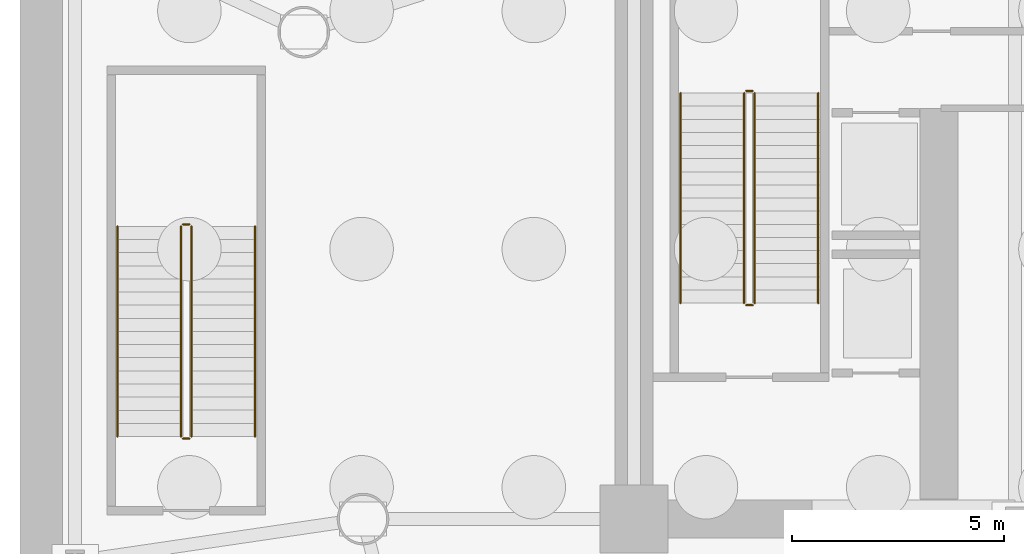
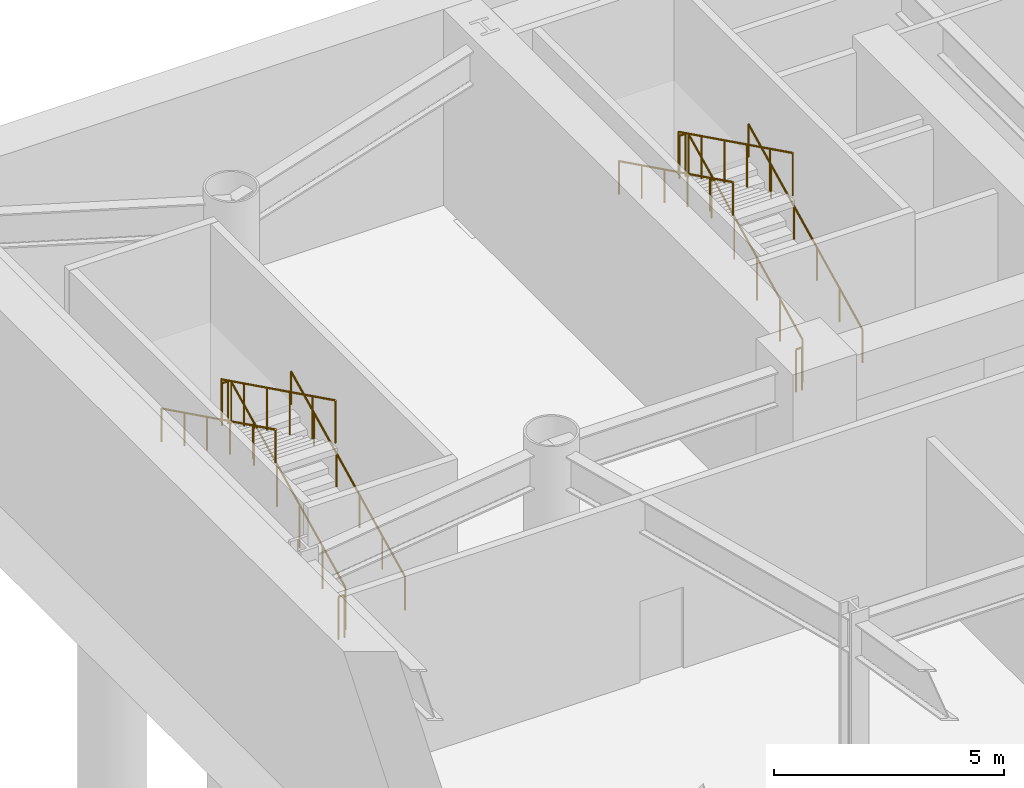
# One storey, part 7 of 11: 12 railings.
"""IFC4 building model written with IfcOpenShell, lengths in metres."""

from ifc_helpers import new_model, si_unit, direction, frame, origin, origin_2d, place, context, subcontext, project, spatial, circle, extrude, material, type_object, element, save


model = new_model("IFC4")

# Units and contexts
model_context = context("Model", 3, precision=1e-05, world=origin(), true_north=direction((0.0, 1.0)))
body_context = subcontext(model_context, "Body", "Model", "MODEL_VIEW")
ifc_project = project(units=[si_unit("LENGTHUNIT", "METRE"), si_unit("AREAUNIT", "SQUARE_METRE"), si_unit("VOLUMEUNIT", "CUBIC_METRE"), si_unit("PLANEANGLEUNIT", "RADIAN"), si_unit("MASSUNIT", "GRAM", prefix="KILO")], contexts=[model_context])

# Site, building, storey
site_placement = place(None, origin())
site = spatial("IfcSite", under=ifc_project, at=site_placement, CompositionType="ELEMENT")
building_placement = place(site_placement, origin())
building = spatial("IfcBuilding", under=site, at=building_placement, Name="Vaeldorn Concourse Tower", CompositionType="ELEMENT")
storey_placement = place(building_placement, frame((0.0, 0.0, -15.60009765625)))
storey = spatial("IfcBuildingStorey", under=building, at=storey_placement, Name="B03", CompositionType="ELEMENT", Elevation=-15.60009765625)

# Railings
ifc_material = material(Name="Anodised Bronze Aluminium", Category="aluminium")
railing_type_1 = type_object("IfcRailingType", Name="RL-STAIR-GUARD", PredefinedType="GUARDRAIL", material=ifc_material)
railing_1_placement = place(storey_placement, frame((16.85009765625, 41.60009765625, 0.153076171875)))
element("IfcRailing", 1, at=railing_1_placement, inside=storey, type_object=railing_type_1, Name="B03 ST-1 stair guard 1", PredefinedType="GUARDRAIL", context=body_context, shape_type="SweptSolid", body=[
    extrude(circle(Radius=0.02392578125, at=origin_2d()), frame((0.0, 0.0, 1.1259765625), z_axis=(0.0, 0.896798178328, 0.442439857323), x_axis=(-1.0, 0.0, 0.0)), (0.0, 0.0, 1.0), 5.53076171875),
    extrude(circle(Radius=0.02099609375, at=origin_2d()), origin(), (0.0, 0.0, 1.0), 1.101806640625),
    extrude(circle(Radius=0.02099609375, at=origin_2d()), frame((0.0, 0.991943359375, 0.489501953125)), (0.0, 0.0, 1.0), 1.101806640625),
    extrude(circle(Radius=0.02099609375, at=origin_2d()), frame((0.0, 1.98388671875, 0.978759765625)), (0.0, 0.0, 1.0), 1.101806640625),
    extrude(circle(Radius=0.02099609375, at=origin_2d()), frame((0.0, 2.97607421875, 1.46826171875)), (0.0, 0.0, 1.0), 1.101806640625),
    extrude(circle(Radius=0.02099609375, at=origin_2d()), frame((0.0, 3.968017578125, 1.95751953125)), (0.0, 0.0, 1.0), 1.101806640625),
    extrude(circle(Radius=0.02099609375, at=origin_2d()), frame((0.0, 4.9599609375, 2.447021484375)), (0.0, 0.0, 1.0), 1.101806640625),
])
railing_2_placement = place(storey_placement, frame((16.800048828125, 46.610107421875, 2.60009765625)))
element("IfcRailing", 2, at=railing_2_placement, inside=storey, type_object=railing_type_1, Name="B03 ST-1 stair guard 2", PredefinedType="GUARDRAIL", context=body_context, shape_type="SweptSolid", body=[
    extrude(circle(Radius=0.02392578125, at=origin_2d()), frame((0.0, 0.0, 1.1259765625), z_axis=(-1.0, 0.0, 0.0), x_axis=(0.0, -1.0, 0.0)), (0.0, 0.0, 1.0), 0.150146484375),
    extrude(circle(Radius=0.02099609375, at=origin_2d()), origin(), (0.0, 0.0, 1.0), 1.101806640625),
    extrude(circle(Radius=0.02099609375, at=origin_2d()), frame((-0.150146484375, 0.0, 0.0)), (0.0, 0.0, 1.0), 1.101806640625),
])
railing_3_placement = place(storey_placement, frame((16.60009765625, 46.56005859375, 2.7529296875)))
element("IfcRailing", 3, at=railing_3_placement, inside=storey, type_object=railing_type_1, Name="B03 ST-1 stair guard 3", PredefinedType="GUARDRAIL", context=body_context, shape_type="SweptSolid", body=[
    extrude(circle(Radius=0.02392578125, at=origin_2d()), frame((0.0, 0.0, 1.1259765625), z_axis=(0.0, -0.896780663155, 0.442475357721), x_axis=(1.0, 0.0, 0.0)), (0.0, 0.0, 1.0), 5.53076171875),
    extrude(circle(Radius=0.02099609375, at=origin_2d()), origin(), (0.0, 0.0, 1.0), 1.101806640625),
    extrude(circle(Radius=0.02099609375, at=origin_2d()), frame((0.0, -0.991943359375, 0.489501953125)), (0.0, 0.0, 1.0), 1.101806640625),
    extrude(circle(Radius=0.02099609375, at=origin_2d()), frame((0.0, -1.98388671875, 0.97900390625)), (0.0, 0.0, 1.0), 1.101806640625),
    extrude(circle(Radius=0.02099609375, at=origin_2d()), frame((0.0, -2.97607421875, 1.46826171875)), (0.0, 0.0, 1.0), 1.101806640625),
    extrude(circle(Radius=0.02099609375, at=origin_2d()), frame((0.0, -3.968017578125, 1.957763671875)), (0.0, 0.0, 1.0), 1.101806640625),
    extrude(circle(Radius=0.02099609375, at=origin_2d()), frame((0.0, -4.9599609375, 2.447265625)), (0.0, 0.0, 1.0), 1.101806640625),
])
railing_4_placement = place(storey_placement, frame((16.800048828125, 41.550048828125, 0.0)))
element("IfcRailing", 4, at=railing_4_placement, inside=storey, type_object=railing_type_1, Name="B03 ST-1 stair guard 4", PredefinedType="GUARDRAIL", context=body_context, shape_type="SweptSolid", body=[
    extrude(circle(Radius=0.02392578125, at=origin_2d()), frame((0.0, 0.0, 1.1259765625), z_axis=(-1.0, 0.0, 0.0), x_axis=(0.0, -1.0, 0.0)), (0.0, 0.0, 1.0), 0.150146484375),
    extrude(circle(Radius=0.02099609375, at=origin_2d()), origin(), (0.0, 0.0, 1.0), 1.101806640625),
    extrude(circle(Radius=0.02099609375, at=origin_2d()), frame((-0.150146484375, 0.0, 0.0)), (0.0, 0.0, 1.0), 1.101806640625),
])
railing_5_placement = place(storey_placement, frame((3.550048828125, 38.449951171875, 0.153076171875)))
element("IfcRailing", 5, at=railing_5_placement, inside=storey, type_object=railing_type_1, Name="B03 ST-3 stair guard 1", PredefinedType="GUARDRAIL", context=body_context, shape_type="SweptSolid", body=[
    extrude(circle(Radius=0.02392578125, at=origin_2d()), frame((0.0, 0.0, 1.1259765625), z_axis=(0.0, 0.896798178328, 0.442439857323), x_axis=(-1.0, 0.0, 0.0)), (0.0, 0.0, 1.0), 5.53076171875),
    extrude(circle(Radius=0.02099609375, at=origin_2d()), origin(), (0.0, 0.0, 1.0), 1.101806640625),
    extrude(circle(Radius=0.02099609375, at=origin_2d()), frame((0.0, 0.991943359375, 0.489501953125)), (0.0, 0.0, 1.0), 1.101806640625),
    extrude(circle(Radius=0.02099609375, at=origin_2d()), frame((0.0, 1.98388671875, 0.978759765625)), (0.0, 0.0, 1.0), 1.101806640625),
    extrude(circle(Radius=0.02099609375, at=origin_2d()), frame((0.0, 2.97607421875, 1.46826171875)), (0.0, 0.0, 1.0), 1.101806640625),
    extrude(circle(Radius=0.02099609375, at=origin_2d()), frame((0.0, 3.968017578125, 1.95751953125)), (0.0, 0.0, 1.0), 1.101806640625),
    extrude(circle(Radius=0.02099609375, at=origin_2d()), frame((0.0, 4.9599609375, 2.447021484375)), (0.0, 0.0, 1.0), 1.101806640625),
])
railing_6_placement = place(storey_placement, frame((3.5, 43.4599609375, 2.60009765625)))
element("IfcRailing", 6, at=railing_6_placement, inside=storey, type_object=railing_type_1, Name="B03 ST-3 stair guard 2", PredefinedType="GUARDRAIL", context=body_context, shape_type="SweptSolid", body=[
    extrude(circle(Radius=0.02392578125, at=origin_2d()), frame((0.0, 0.0, 1.1259765625), z_axis=(-1.0, 0.0, 0.0), x_axis=(0.0, -1.0, 0.0)), (0.0, 0.0, 1.0), 0.14990234375),
    extrude(circle(Radius=0.02099609375, at=origin_2d()), origin(), (0.0, 0.0, 1.0), 1.101806640625),
    extrude(circle(Radius=0.02099609375, at=origin_2d()), frame((-0.14990234375, 0.0, 0.0)), (0.0, 0.0, 1.0), 1.101806640625),
])
railing_7_placement = place(storey_placement, frame((3.300048828125, 43.409912109375, 2.7529296875)))
element("IfcRailing", 7, at=railing_7_placement, inside=storey, type_object=railing_type_1, Name="B03 ST-3 stair guard 3", PredefinedType="GUARDRAIL", context=body_context, shape_type="SweptSolid", body=[
    extrude(circle(Radius=0.02392578125, at=origin_2d()), frame((0.0, 0.0, 1.1259765625), z_axis=(0.0, -0.896780663155, 0.442475357721), x_axis=(1.0, 0.0, 0.0)), (0.0, 0.0, 1.0), 5.53076171875),
    extrude(circle(Radius=0.02099609375, at=origin_2d()), origin(), (0.0, 0.0, 1.0), 1.101806640625),
    extrude(circle(Radius=0.02099609375, at=origin_2d()), frame((0.0, -0.991943359375, 0.489501953125)), (0.0, 0.0, 1.0), 1.101806640625),
    extrude(circle(Radius=0.02099609375, at=origin_2d()), frame((0.0, -1.98388671875, 0.97900390625)), (0.0, 0.0, 1.0), 1.101806640625),
    extrude(circle(Radius=0.02099609375, at=origin_2d()), frame((0.0, -2.97607421875, 1.46826171875)), (0.0, 0.0, 1.0), 1.101806640625),
    extrude(circle(Radius=0.02099609375, at=origin_2d()), frame((0.0, -3.968017578125, 1.957763671875)), (0.0, 0.0, 1.0), 1.101806640625),
    extrude(circle(Radius=0.02099609375, at=origin_2d()), frame((0.0, -4.9599609375, 2.447265625)), (0.0, 0.0, 1.0), 1.101806640625),
])
railing_8_placement = place(storey_placement, frame((3.5, 38.39990234375, 0.0)))
element("IfcRailing", 8, at=railing_8_placement, inside=storey, type_object=railing_type_1, Name="B03 ST-3 stair guard 4", PredefinedType="GUARDRAIL", context=body_context, shape_type="SweptSolid", body=[
    extrude(circle(Radius=0.02392578125, at=origin_2d()), frame((0.0, 0.0, 1.1259765625), z_axis=(-1.0, 0.0, 0.0), x_axis=(0.0, -1.0, 0.0)), (0.0, 0.0, 1.0), 0.14990234375),
    extrude(circle(Radius=0.02099609375, at=origin_2d()), origin(), (0.0, 0.0, 1.0), 1.101806640625),
    extrude(circle(Radius=0.02099609375, at=origin_2d()), frame((-0.14990234375, 0.0, 0.0)), (0.0, 0.0, 1.0), 1.101806640625),
])
railing_type_2 = type_object("IfcRailingType", Name="RL-STAIR-HANDRAIL", PredefinedType="HANDRAIL", material=ifc_material)
railing_9_placement = place(storey_placement, frame((18.35009765625, 41.60009765625, 0.153076171875)))
element("IfcRailing", 9, at=railing_9_placement, inside=storey, type_object=railing_type_2, Name="B03 ST-1 stair handrail 1", PredefinedType="HANDRAIL", context=body_context, shape_type="SweptSolid", body=[
    extrude(circle(Radius=0.02392578125, at=origin_2d()), frame((0.0, 0.0, 0.8759765625), z_axis=(0.0, 0.896798178328, 0.442439857323), x_axis=(-1.0, 0.0, 0.0)), (0.0, 0.0, 1.0), 5.53076171875),
    extrude(circle(Radius=0.02099609375, at=origin_2d()), origin(), (0.0, 0.0, 1.0), 0.851806640625),
    extrude(circle(Radius=0.02099609375, at=origin_2d()), frame((0.0, 0.991943359375, 0.489501953125)), (0.0, 0.0, 1.0), 0.851806640625),
    extrude(circle(Radius=0.02099609375, at=origin_2d()), frame((0.0, 1.98388671875, 0.978759765625)), (0.0, 0.0, 1.0), 0.851806640625),
    extrude(circle(Radius=0.02099609375, at=origin_2d()), frame((0.0, 2.97607421875, 1.46826171875)), (0.0, 0.0, 1.0), 0.851806640625),
    extrude(circle(Radius=0.02099609375, at=origin_2d()), frame((0.0, 3.968017578125, 1.95751953125)), (0.0, 0.0, 1.0), 0.851806640625),
    extrude(circle(Radius=0.02099609375, at=origin_2d()), frame((0.0, 4.9599609375, 2.447021484375)), (0.0, 0.0, 1.0), 0.851806640625),
])
railing_10_placement = place(storey_placement, frame((15.10009765625, 46.56005859375, 2.7529296875)))
element("IfcRailing", 10, at=railing_10_placement, inside=storey, type_object=railing_type_2, Name="B03 ST-1 stair handrail 2", PredefinedType="HANDRAIL", context=body_context, shape_type="SweptSolid", body=[
    extrude(circle(Radius=0.02392578125, at=origin_2d()), frame((0.0, 0.0, 0.8759765625), z_axis=(0.0, -0.896780663155, 0.442475357721), x_axis=(1.0, 0.0, 0.0)), (0.0, 0.0, 1.0), 5.53076171875),
    extrude(circle(Radius=0.02099609375, at=origin_2d()), origin(), (0.0, 0.0, 1.0), 0.851806640625),
    extrude(circle(Radius=0.02099609375, at=origin_2d()), frame((0.0, -0.991943359375, 0.489501953125)), (0.0, 0.0, 1.0), 0.851806640625),
    extrude(circle(Radius=0.02099609375, at=origin_2d()), frame((0.0, -1.98388671875, 0.97900390625)), (0.0, 0.0, 1.0), 0.851806640625),
    extrude(circle(Radius=0.02099609375, at=origin_2d()), frame((0.0, -2.97607421875, 1.46826171875)), (0.0, 0.0, 1.0), 0.851806640625),
    extrude(circle(Radius=0.02099609375, at=origin_2d()), frame((0.0, -3.968017578125, 1.957763671875)), (0.0, 0.0, 1.0), 0.851806640625),
    extrude(circle(Radius=0.02099609375, at=origin_2d()), frame((0.0, -4.9599609375, 2.447265625)), (0.0, 0.0, 1.0), 0.851806640625),
])
railing_11_placement = place(storey_placement, frame((5.050048828125, 38.449951171875, 0.153076171875)))
element("IfcRailing", 11, at=railing_11_placement, inside=storey, type_object=railing_type_2, Name="B03 ST-3 stair handrail 1", PredefinedType="HANDRAIL", context=body_context, shape_type="SweptSolid", body=[
    extrude(circle(Radius=0.02392578125, at=origin_2d()), frame((0.0, 0.0, 0.8759765625), z_axis=(0.0, 0.896798178328, 0.442439857323), x_axis=(-1.0, 0.0, 0.0)), (0.0, 0.0, 1.0), 5.53076171875),
    extrude(circle(Radius=0.02099609375, at=origin_2d()), origin(), (0.0, 0.0, 1.0), 0.851806640625),
    extrude(circle(Radius=0.02099609375, at=origin_2d()), frame((0.0, 0.991943359375, 0.489501953125)), (0.0, 0.0, 1.0), 0.851806640625),
    extrude(circle(Radius=0.02099609375, at=origin_2d()), frame((0.0, 1.98388671875, 0.978759765625)), (0.0, 0.0, 1.0), 0.851806640625),
    extrude(circle(Radius=0.02099609375, at=origin_2d()), frame((0.0, 2.97607421875, 1.46826171875)), (0.0, 0.0, 1.0), 0.851806640625),
    extrude(circle(Radius=0.02099609375, at=origin_2d()), frame((0.0, 3.968017578125, 1.95751953125)), (0.0, 0.0, 1.0), 0.851806640625),
    extrude(circle(Radius=0.02099609375, at=origin_2d()), frame((0.0, 4.9599609375, 2.447021484375)), (0.0, 0.0, 1.0), 0.851806640625),
])
railing_12_placement = place(storey_placement, frame((1.800048828125, 43.409912109375, 2.7529296875)))
element("IfcRailing", 12, at=railing_12_placement, inside=storey, type_object=railing_type_2, Name="B03 ST-3 stair handrail 2", PredefinedType="HANDRAIL", context=body_context, shape_type="SweptSolid", body=[
    extrude(circle(Radius=0.02392578125, at=origin_2d()), frame((0.0, 0.0, 0.8759765625), z_axis=(0.0, -0.896780663155, 0.442475357721), x_axis=(1.0, 0.0, 0.0)), (0.0, 0.0, 1.0), 5.53076171875),
    extrude(circle(Radius=0.02099609375, at=origin_2d()), origin(), (0.0, 0.0, 1.0), 0.851806640625),
    extrude(circle(Radius=0.02099609375, at=origin_2d()), frame((0.0, -0.991943359375, 0.489501953125)), (0.0, 0.0, 1.0), 0.851806640625),
    extrude(circle(Radius=0.02099609375, at=origin_2d()), frame((0.0, -1.98388671875, 0.97900390625)), (0.0, 0.0, 1.0), 0.851806640625),
    extrude(circle(Radius=0.02099609375, at=origin_2d()), frame((0.0, -2.97607421875, 1.46826171875)), (0.0, 0.0, 1.0), 0.851806640625),
    extrude(circle(Radius=0.02099609375, at=origin_2d()), frame((0.0, -3.968017578125, 1.957763671875)), (0.0, 0.0, 1.0), 0.851806640625),
    extrude(circle(Radius=0.02099609375, at=origin_2d()), frame((0.0, -4.9599609375, 2.447265625)), (0.0, 0.0, 1.0), 0.851806640625),
])

save(model, "model.ifc")
